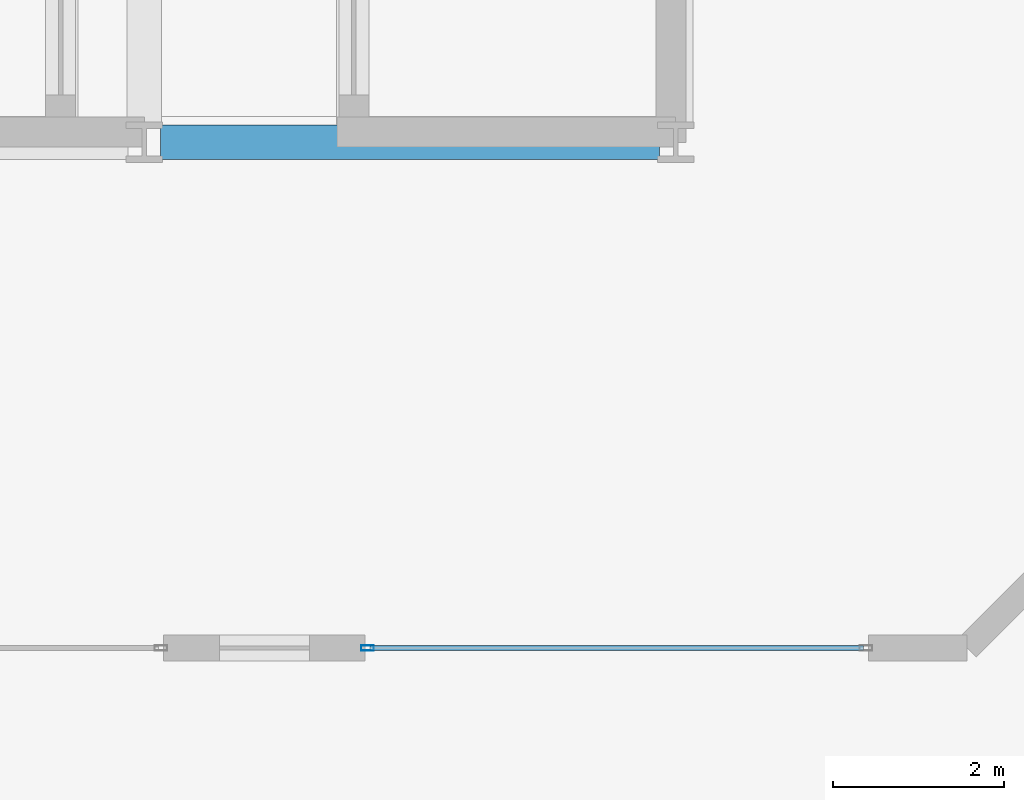
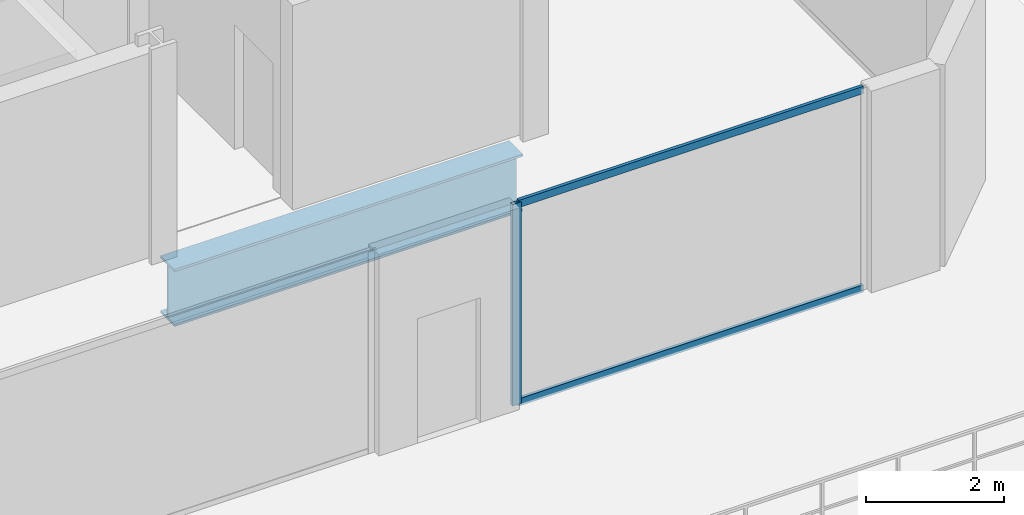
# One storey, part 3 of 12: 3 members, 1 beam, 1 element without a shape of its own.
"""IFC4 building model written with IfcOpenShell, lengths in metres."""

from ifc_helpers import new_model, si_unit, direction, frame, origin, origin_2d, place, context, subcontext, project, spatial, hollow_rectangle, i_section, extrude, material, layer, layer_set, material_profile, profile_set, type_object, element, aggregate, save


model = new_model("IFC4")

# Units and contexts
model_context = context("Model", 3, precision=1e-05, world=origin(), true_north=direction((0.0, 1.0)))
body_context = subcontext(model_context, "Body", "Model", "MODEL_VIEW")
ifc_project = project(units=[si_unit("LENGTHUNIT", "METRE"), si_unit("AREAUNIT", "SQUARE_METRE"), si_unit("VOLUMEUNIT", "CUBIC_METRE"), si_unit("PLANEANGLEUNIT", "RADIAN"), si_unit("MASSUNIT", "GRAM", prefix="KILO")], contexts=[model_context])

# Site, building, storey
site_placement = place(None, origin())
site = spatial("IfcSite", under=ifc_project, at=site_placement, CompositionType="ELEMENT")
building_placement = place(site_placement, origin())
building = spatial("IfcBuilding", under=site, at=building_placement, Name="Zuhayl Quay Hotel", CompositionType="ELEMENT")
storey_placement = place(building_placement, frame((0.0, 0.0, 312.449951171875)))
storey = spatial("IfcBuildingStorey", under=building, at=storey_placement, Name="Crown 5", CompositionType="ELEMENT", Elevation=312.449951171875)

# Beam
ifc_material_1 = material(Name="Steel ASTM A992 Grade 50", Category="steel")
ifc_material_profile_1 = material_profile(ifc_material_1, i_section(OverallWidth=0.40087890625, OverallDepth=1.010986328125, WebThickness=0.023681640625, FlangeThickness=0.0419921875, at=origin_2d()), Name="W40X297")
ifc_profile_set_1 = profile_set([ifc_material_profile_1], Name="Steel ASTM A992 Grade 50")
beam_type = type_object("IfcBeamType", Name="BM_TG2_W40X297", PredefinedType="BEAM", material=ifc_profile_set_1)
beam_placement = place(storey_placement, frame((-4.409912109375, 25.10009765625, -0.745361328125), z_axis=(1.0, 0.0, 0.0), x_axis=(0.0, 1.0, 0.0)))
element("IfcBeam", 1, at=beam_placement, inside=storey, type_object=beam_type, Name="Crown 5 Floor Beam CR_EW_5_1_2", PredefinedType="BEAM", context=body_context, shape_type="SweptSolid", body=[
    extrude(i_section(OverallWidth=0.40087890625, OverallDepth=1.010986328125, WebThickness=0.023681640625, FlangeThickness=0.0419921875, at=origin_2d()), origin(), (0.0, 0.0, 1.0), 5.81982421875),
])

# Curtain wall, members
ifc_material_2 = material(Name="Anodised Aluminium 6063-T6", Category="aluminium")
ifc_layer = layer(ifc_material_2, 0.159912109375, Name="Anodised Aluminium 6063-T6", Category="aluminium")
ifc_layer_set = layer_set([ifc_layer], Name="Anodised Aluminium 6063-T6")
curtain_wall_type = type_object("IfcCurtainWallType", Name="CW_SYS_CRN", PredefinedType="USERDEFINED", material=ifc_layer_set)
curtain_wall_placement = place(storey_placement, origin())
curtain_wall = element("IfcCurtainWall", 2, at=curtain_wall_placement, inside=storey, type_object=curtain_wall_type, Name="Crown 5 Curtain Wall ENV_CR5_E7_CW1", ObjectType="UNITISED CURTAIN WALL", PredefinedType="USERDEFINED")
ifc_material_3 = material(Name="Black-anodised aluminium 6063-T6", Category="aluminium")
ifc_material_profile_2 = material_profile(ifc_material_3, hollow_rectangle(XDim=0.06005859375, YDim=0.14990234375, WallThickness=0.00341796875, at=origin_2d()), Name="ALU150X60")
ifc_profile_set_2 = profile_set([ifc_material_profile_2], Name="Black-anodised aluminium 6063-T6")
member_type_1 = type_object("IfcMemberType", Name="MB_CW_MUL_150", PredefinedType="MULLION", material=ifc_profile_set_2)
member_1_placement = place(storey_placement, frame((-1.9951171875, 19.199951171875, 0.0), z_axis=(0.0, 0.0, 1.0), x_axis=(0.0, -1.0, 0.0)))
member_1 = element("IfcMember", 3, at=member_1_placement, type_object=member_type_1, Name="CW-CRN mullion 2", PredefinedType="MULLION", context=body_context, shape_type="SweptSolid", body=[
    extrude(hollow_rectangle(XDim=0.06005859375, YDim=0.14990234375, WallThickness=0.00341796875, at=origin_2d()), origin(), (0.0, 0.0, 1.0), 3.56005859375),
])
ifc_material_profile_3 = material_profile(ifc_material_3, hollow_rectangle(XDim=0.054931640625, YDim=0.1298828125, WallThickness=0.0029296875, at=origin_2d()), Name="ALU130X55")
ifc_profile_set_3 = profile_set([ifc_material_profile_3], Name="Black-anodised aluminium 6063-T6")
member_type_2 = type_object("IfcMemberType", Name="MB_CW_TRN_130", PredefinedType="USERDEFINED", material=ifc_profile_set_3)
member_2_placement = place(storey_placement, frame((3.7900390625, 19.199951171875, 0.027587890625), z_axis=(-1.0, 0.0, 0.0), x_axis=(0.0, -1.0, 0.0)))
member_2 = element("IfcMember", 4, at=member_2_placement, type_object=member_type_2, Name="CW-CRN transom 1.1", ObjectType="TRANSOM", PredefinedType="USERDEFINED", context=body_context, shape_type="SweptSolid", body=[
    extrude(hollow_rectangle(XDim=0.054931640625, YDim=0.1298828125, WallThickness=0.0029296875, at=origin_2d()), origin(), (0.0, 0.0, 1.0), 5.755126953125),
])
member_3_placement = place(storey_placement, frame((3.7900390625, 19.199951171875, 3.532470703125), z_axis=(-1.0, 0.0, 0.0), x_axis=(0.0, -1.0, 0.0)))
member_3 = element("IfcMember", 5, at=member_3_placement, type_object=member_type_2, Name="CW-CRN transom 1.2", ObjectType="TRANSOM", PredefinedType="USERDEFINED", context=body_context, shape_type="SweptSolid", body=[
    extrude(hollow_rectangle(XDim=0.054931640625, YDim=0.1298828125, WallThickness=0.0029296875, at=origin_2d()), origin(), (0.0, 0.0, 1.0), 5.755126953125),
])
aggregate(curtain_wall, [member_1, member_2, member_3])

save(model, "model.ifc")
